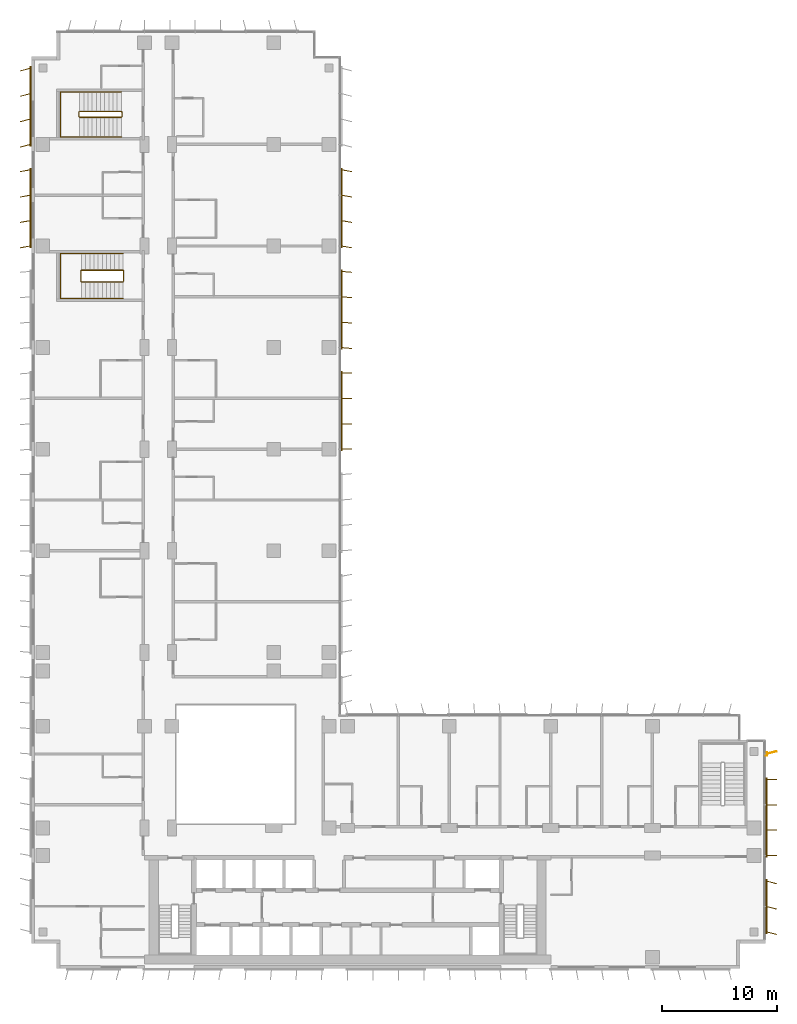
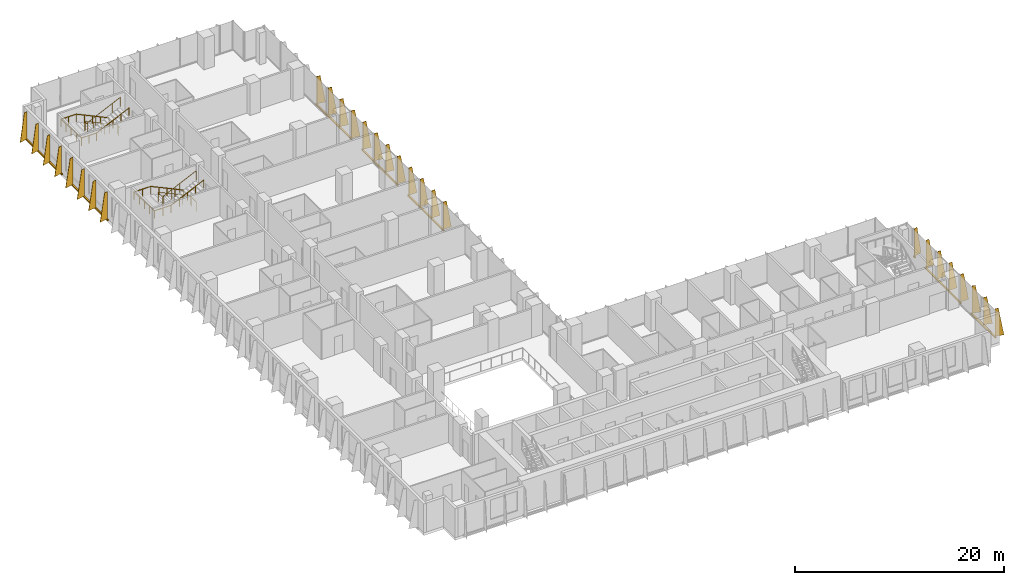
# One storey, part 21 of 22: 8 shading devices, 4 railings.
"""IFC4 building model written with IfcOpenShell, lengths in metres."""

from ifc_helpers import new_model, si_unit, direction, frame, origin, origin_2d, place, context, subcontext, project, spatial, polyline, rectangle, circle, outline, extrude, source, transform, mapped, material, layer, layer_set, type_object, element, save


model = new_model("IFC4")

# Units and contexts
model_context = context("Model", 3, precision=1e-05, world=origin(), true_north=direction((0.0, 1.0)))
body_context = subcontext(model_context, "Body", "Model", "MODEL_VIEW")
ifc_project = project(units=[si_unit("LENGTHUNIT", "METRE"), si_unit("AREAUNIT", "SQUARE_METRE"), si_unit("VOLUMEUNIT", "CUBIC_METRE"), si_unit("PLANEANGLEUNIT", "RADIAN"), si_unit("MASSUNIT", "GRAM", prefix="KILO")], contexts=[model_context])

# Site, building, storey
site_placement = place(None, origin())
site = spatial("IfcSite", under=ifc_project, at=site_placement, CompositionType="ELEMENT")
building_placement = place(site_placement, origin())
building = spatial("IfcBuilding", under=site, at=building_placement, Name="Kemantara Hotel Tower", CompositionType="ELEMENT")
storey_placement = place(building_placement, frame((0.0, 0.0, 111.10009765625)))
storey = spatial("IfcBuildingStorey", under=building, at=storey_placement, Name="L26", CompositionType="ELEMENT", Elevation=111.10009765625)

# Railings
ifc_material_1 = material(Name="Stainless steel balustrade", Category="steel")
railing_type_1 = type_object("IfcRailingType", Name="Stair guard 1100 mm", PredefinedType="GUARDRAIL", material=ifc_material_1)
railing_1_placement = place(storey_placement, frame((7.949951171875, 59.5, 3.699951171875)))
element("IfcRailing", 1, at=railing_1_placement, inside=storey, type_object=railing_type_1, Name="L26 ST4 stair guard 1", PredefinedType="GUARDRAIL", context=body_context, shape_type="SweptSolid", body=[
    extrude(circle(Radius=0.02392578125, at=origin_2d()), frame((0.0, 0.0, 1.076171875), z_axis=(-0.905994681025, 0.0, -0.423289071386), x_axis=(0.0, -1.0, 0.0)), (0.0, 0.0, 1.0), 3.973388671875),
    extrude(circle(Radius=0.02392578125, at=origin_2d()), frame((-3.599853515625, 0.0, -0.60595703125), z_axis=(-0.274243871929, 0.274243871929, -0.92172696468), x_axis=(-0.707106781187, -0.707106781187, 0.0)), (0.0, 0.0, 1.0), 0.1826171875),
    extrude(circle(Radius=0.02392578125, at=origin_2d()), frame((-3.64990234375, 0.050048828125, -0.77392578125), z_axis=(0.0, 1.0, 0.0), x_axis=(-1.0, 0.0, 0.0)), (0.0, 0.0, 1.0), 0.89990234375),
    extrude(circle(Radius=0.02392578125, at=origin_2d()), frame((-3.64990234375, 0.949951171875, -0.77392578125), z_axis=(0.707106781187, 0.707106781187, 0.0), x_axis=(-0.707106781187, 0.707106781187, 0.0)), (0.0, 0.0, 1.0), 0.07080078125),
    extrude(circle(Radius=0.02392578125, at=origin_2d()), frame((-3.599853515625, 1.0, -0.77392578125), z_axis=(0.905994681025, 0.0, -0.423289071386), x_axis=(0.0, 1.0, 0.0)), (0.0, 0.0, 1.0), 3.973388671875),
    extrude(circle(Radius=0.02392578125, at=origin_2d()), frame((0.0, 1.0, -2.4560546875), z_axis=(0.274582412415, -0.274582412415, -0.921525364591), x_axis=(0.707106781187, 0.707106781187, 0.0)), (0.0, 0.0, 1.0), 0.182373046875),
    extrude(circle(Radius=0.02392578125, at=origin_2d()), frame((0.050048828125, 0.949951171875, -2.6240234375), z_axis=(0.0, -1.0, 0.0), x_axis=(1.0, 0.0, 0.0)), (0.0, 0.0, 1.0), 0.89990234375),
    extrude(circle(Radius=0.02099609375, at=origin_2d()), origin(), (0.0, 0.0, 1.0), 1.052001953125),
    extrude(circle(Radius=0.02099609375, at=origin_2d()), frame((-0.89990234375, 0.0, -0.42041015625)), (0.0, 0.0, 1.0), 1.052001953125),
    extrude(circle(Radius=0.02099609375, at=origin_2d()), frame((-1.7998046875, 0.0, -0.8408203125)), (0.0, 0.0, 1.0), 1.052001953125),
    extrude(circle(Radius=0.02099609375, at=origin_2d()), frame((-2.699951171875, 0.0, -1.261474609375)), (0.0, 0.0, 1.0), 1.052001953125),
    extrude(circle(Radius=0.02099609375, at=origin_2d()), frame((-3.599853515625, 0.0, -1.681884765625)), (0.0, 0.0, 1.0), 1.052001953125),
    extrude(circle(Radius=0.02099609375, at=origin_2d()), frame((-3.64990234375, 0.050048828125, -1.85009765625)), (0.0, 0.0, 1.0), 1.052001953125),
    extrude(circle(Radius=0.02099609375, at=origin_2d()), frame((-3.64990234375, 0.949951171875, -1.85009765625)), (0.0, 0.0, 1.0), 1.052001953125),
    extrude(circle(Radius=0.02099609375, at=origin_2d()), frame((-3.599853515625, 1.0, -1.85009765625)), (0.0, 0.0, 1.0), 1.052001953125),
    extrude(circle(Radius=0.02099609375, at=origin_2d()), frame((-2.699951171875, 1.0, -2.2705078125)), (0.0, 0.0, 1.0), 1.052001953125),
    extrude(circle(Radius=0.02099609375, at=origin_2d()), frame((-1.7998046875, 1.0, -2.69091796875)), (0.0, 0.0, 1.0), 1.052001953125),
    extrude(circle(Radius=0.02099609375, at=origin_2d()), frame((-0.89990234375, 1.0, -3.111572265625)), (0.0, 0.0, 1.0), 1.052001953125),
    extrude(circle(Radius=0.02099609375, at=origin_2d()), frame((0.0, 1.0, -3.531982421875)), (0.0, 0.0, 1.0), 1.052001953125),
    extrude(circle(Radius=0.02099609375, at=origin_2d()), frame((0.050048828125, 0.949951171875, -3.699951171875)), (0.0, 0.0, 1.0), 1.052001953125),
    extrude(circle(Radius=0.02099609375, at=origin_2d()), frame((0.050048828125, 0.050048828125, -3.699951171875)), (0.0, 0.0, 1.0), 1.052001953125),
])
railing_2_placement = place(storey_placement, frame((7.800048828125, 73.75, 3.699951171875)))
element("IfcRailing", 2, at=railing_2_placement, inside=storey, type_object=railing_type_1, Name="L26 ST6 stair guard 1", PredefinedType="GUARDRAIL", context=body_context, shape_type="SweptSolid", body=[
    extrude(circle(Radius=0.02392578125, at=origin_2d()), frame((0.0, 0.0, 1.076171875), z_axis=(-0.906005689286, 0.0, -0.423265508849), x_axis=(0.0, -1.0, 0.0)), (0.0, 0.0, 1.0), 3.9736328125),
    extrude(circle(Radius=0.02392578125, at=origin_2d()), frame((-3.60009765625, 0.0, -0.60595703125), z_axis=(-0.274243871929, 0.274243871929, -0.92172696468), x_axis=(-0.707106781187, -0.707106781187, 0.0)), (0.0, 0.0, 1.0), 0.1826171875),
    extrude(circle(Radius=0.02392578125, at=origin_2d()), frame((-3.650146484375, 0.050048828125, -0.77392578125), z_axis=(0.0, 1.0, 0.0), x_axis=(-1.0, 0.0, 0.0)), (0.0, 0.0, 1.0), 0.39990234375),
    extrude(circle(Radius=0.02392578125, at=origin_2d()), frame((-3.650146484375, 0.449951171875, -0.77392578125), z_axis=(0.707106781187, 0.707106781187, 0.0), x_axis=(-0.707106781187, 0.707106781187, 0.0)), (0.0, 0.0, 1.0), 0.07080078125),
    extrude(circle(Radius=0.02392578125, at=origin_2d()), frame((-3.60009765625, 0.5, -0.77392578125), z_axis=(0.906005689286, 0.0, -0.423265508849), x_axis=(0.0, 1.0, 0.0)), (0.0, 0.0, 1.0), 3.9736328125),
    extrude(circle(Radius=0.02392578125, at=origin_2d()), frame((0.0, 0.5, -2.4560546875), z_axis=(0.274582412415, -0.274582412415, -0.921525364591), x_axis=(0.707106781187, 0.707106781187, 0.0)), (0.0, 0.0, 1.0), 0.182373046875),
    extrude(circle(Radius=0.02392578125, at=origin_2d()), frame((0.050048828125, 0.449951171875, -2.6240234375), z_axis=(0.0, -1.0, 0.0), x_axis=(1.0, 0.0, 0.0)), (0.0, 0.0, 1.0), 0.39990234375),
    extrude(circle(Radius=0.02099609375, at=origin_2d()), origin(), (0.0, 0.0, 1.0), 1.052001953125),
    extrude(circle(Radius=0.02099609375, at=origin_2d()), frame((-0.89990234375, 0.0, -0.42041015625)), (0.0, 0.0, 1.0), 1.052001953125),
    extrude(circle(Radius=0.02099609375, at=origin_2d()), frame((-1.800048828125, 0.0, -0.8408203125)), (0.0, 0.0, 1.0), 1.052001953125),
    extrude(circle(Radius=0.02099609375, at=origin_2d()), frame((-2.7001953125, 0.0, -1.261474609375)), (0.0, 0.0, 1.0), 1.052001953125),
    extrude(circle(Radius=0.02099609375, at=origin_2d()), frame((-3.60009765625, 0.0, -1.681884765625)), (0.0, 0.0, 1.0), 1.052001953125),
    extrude(circle(Radius=0.02099609375, at=origin_2d()), frame((-3.650146484375, 0.050048828125, -1.85009765625)), (0.0, 0.0, 1.0), 1.052001953125),
    extrude(circle(Radius=0.02099609375, at=origin_2d()), frame((-3.650146484375, 0.449951171875, -1.85009765625)), (0.0, 0.0, 1.0), 1.052001953125),
    extrude(circle(Radius=0.02099609375, at=origin_2d()), frame((-3.60009765625, 0.5, -1.85009765625)), (0.0, 0.0, 1.0), 1.052001953125),
    extrude(circle(Radius=0.02099609375, at=origin_2d()), frame((-2.7001953125, 0.5, -2.2705078125)), (0.0, 0.0, 1.0), 1.052001953125),
    extrude(circle(Radius=0.02099609375, at=origin_2d()), frame((-1.800048828125, 0.5, -2.69091796875)), (0.0, 0.0, 1.0), 1.052001953125),
    extrude(circle(Radius=0.02099609375, at=origin_2d()), frame((-0.89990234375, 0.5, -3.111572265625)), (0.0, 0.0, 1.0), 1.052001953125),
    extrude(circle(Radius=0.02099609375, at=origin_2d()), frame((0.0, 0.5, -3.531982421875)), (0.0, 0.0, 1.0), 1.052001953125),
    extrude(circle(Radius=0.02099609375, at=origin_2d()), frame((0.050048828125, 0.449951171875, -3.699951171875)), (0.0, 0.0, 1.0), 1.052001953125),
    extrude(circle(Radius=0.02099609375, at=origin_2d()), frame((0.050048828125, 0.050048828125, -3.699951171875)), (0.0, 0.0, 1.0), 1.052001953125),
])
railing_type_2 = type_object("IfcRailingType", Name="Stair handrail 900 mm", PredefinedType="HANDRAIL", material=ifc_material_1)
railing_3_placement = place(storey_placement, frame((7.949951171875, 61.949951171875, 0.16796875)))
element("IfcRailing", 3, at=railing_3_placement, inside=storey, type_object=railing_type_2, Name="L26 ST4 stair handrail 1", PredefinedType="HANDRAIL", context=body_context, shape_type="SweptSolid", body=[
    extrude(circle(Radius=0.02392578125, at=origin_2d()), frame((0.0, 0.0, 0.8759765625), z_axis=(-0.905994681025, 0.0, 0.423289071386), x_axis=(0.0, -1.0, 0.0)), (0.0, 0.0, 1.0), 3.973388671875),
    extrude(circle(Radius=0.02392578125, at=origin_2d()), frame((-3.599853515625, 0.0, 2.5576171875), z_axis=(-1.0, 0.0, 0.0), x_axis=(0.0, -1.0, 0.0)), (0.0, 0.0, 1.0), 1.830078125),
    extrude(circle(Radius=0.02392578125, at=origin_2d()), frame((-5.429931640625, 0.0, 2.5576171875), z_axis=(0.0, -0.999071085748, 0.043092523981), x_axis=(1.0, 0.0, 0.0)), (0.0, 0.0, 1.0), 3.903564453125),
    extrude(circle(Radius=0.02392578125, at=origin_2d()), frame((-5.429931640625, -3.89990234375, 2.72607421875), z_axis=(1.0, 0.0, 0.0), x_axis=(0.0, 1.0, 0.0)), (0.0, 0.0, 1.0), 1.830078125),
    extrude(circle(Radius=0.02392578125, at=origin_2d()), frame((-3.599853515625, -3.89990234375, 2.72607421875), z_axis=(0.905994681025, 0.0, 0.423289071386), x_axis=(0.0, 1.0, 0.0)), (0.0, 0.0, 1.0), 3.973388671875),
    extrude(circle(Radius=0.02099609375, at=origin_2d()), origin(), (0.0, 0.0, 1.0), 0.851806640625),
    extrude(circle(Radius=0.02099609375, at=origin_2d()), frame((-0.89990234375, 0.0, 0.42041015625)), (0.0, 0.0, 1.0), 0.851806640625),
    extrude(circle(Radius=0.02099609375, at=origin_2d()), frame((-1.7998046875, 0.0, 0.8408203125)), (0.0, 0.0, 1.0), 0.851806640625),
    extrude(circle(Radius=0.02099609375, at=origin_2d()), frame((-2.699951171875, 0.0, 1.261474609375)), (0.0, 0.0, 1.0), 0.851806640625),
    extrude(circle(Radius=0.02099609375, at=origin_2d()), frame((-3.599853515625, 0.0, 1.681884765625)), (0.0, 0.0, 1.0), 0.851806640625),
    extrude(circle(Radius=0.02099609375, at=origin_2d()), frame((-4.514892578125, 0.0, 1.681884765625)), (0.0, 0.0, 1.0), 0.851806640625),
    extrude(circle(Radius=0.02099609375, at=origin_2d()), frame((-5.429931640625, 0.0, 1.681884765625)), (0.0, 0.0, 1.0), 0.851806640625),
    extrude(circle(Radius=0.02099609375, at=origin_2d()), frame((-5.429931640625, -0.97509765625, 1.723876953125)), (0.0, 0.0, 1.0), 0.851806640625),
    extrude(circle(Radius=0.02099609375, at=origin_2d()), frame((-5.429931640625, -1.949951171875, 1.76611328125)), (0.0, 0.0, 1.0), 0.851806640625),
    extrude(circle(Radius=0.02099609375, at=origin_2d()), frame((-5.429931640625, -2.9248046875, 1.80810546875)), (0.0, 0.0, 1.0), 0.851806640625),
    extrude(circle(Radius=0.02099609375, at=origin_2d()), frame((-5.429931640625, -3.89990234375, 1.85009765625)), (0.0, 0.0, 1.0), 0.851806640625),
    extrude(circle(Radius=0.02099609375, at=origin_2d()), frame((-4.514892578125, -3.89990234375, 1.85009765625)), (0.0, 0.0, 1.0), 0.851806640625),
    extrude(circle(Radius=0.02099609375, at=origin_2d()), frame((-3.599853515625, -3.89990234375, 1.85009765625)), (0.0, 0.0, 1.0), 0.851806640625),
    extrude(circle(Radius=0.02099609375, at=origin_2d()), frame((-2.699951171875, -3.89990234375, 2.2705078125)), (0.0, 0.0, 1.0), 0.851806640625),
    extrude(circle(Radius=0.02099609375, at=origin_2d()), frame((-1.7998046875, -3.89990234375, 2.69091796875)), (0.0, 0.0, 1.0), 0.851806640625),
    extrude(circle(Radius=0.02099609375, at=origin_2d()), frame((-0.89990234375, -3.89990234375, 3.111572265625)), (0.0, 0.0, 1.0), 0.851806640625),
    extrude(circle(Radius=0.02099609375, at=origin_2d()), frame((0.0, -3.89990234375, 3.531982421875)), (0.0, 0.0, 1.0), 0.851806640625),
])
railing_4_placement = place(storey_placement, frame((7.800048828125, 75.949951171875, 0.16796875)))
element("IfcRailing", 4, at=railing_4_placement, inside=storey, type_object=railing_type_2, Name="L26 ST6 stair handrail 1", PredefinedType="HANDRAIL", context=body_context, shape_type="SweptSolid", body=[
    extrude(circle(Radius=0.02392578125, at=origin_2d()), frame((0.0, 0.0, 0.8759765625), z_axis=(-0.906005689286, 0.0, 0.423265508849), x_axis=(0.0, -1.0, 0.0)), (0.0, 0.0, 1.0), 3.9736328125),
    extrude(circle(Radius=0.02392578125, at=origin_2d()), frame((-3.60009765625, 0.0, 2.5576171875), z_axis=(-1.0, 0.0, 0.0), x_axis=(0.0, -1.0, 0.0)), (0.0, 0.0, 1.0), 1.679931640625),
    extrude(circle(Radius=0.02392578125, at=origin_2d()), frame((-5.280029296875, 0.0, 2.5576171875), z_axis=(0.0, -0.999071085748, 0.043092523981), x_axis=(1.0, 0.0, 0.0)), (0.0, 0.0, 1.0), 3.903564453125),
    extrude(circle(Radius=0.02392578125, at=origin_2d()), frame((-5.280029296875, -3.89990234375, 2.72607421875), z_axis=(1.0, 0.0, 0.0), x_axis=(0.0, 1.0, 0.0)), (0.0, 0.0, 1.0), 1.679931640625),
    extrude(circle(Radius=0.02392578125, at=origin_2d()), frame((-3.60009765625, -3.89990234375, 2.72607421875), z_axis=(0.906005689286, 0.0, 0.423265508849), x_axis=(0.0, 1.0, 0.0)), (0.0, 0.0, 1.0), 3.9736328125),
    extrude(circle(Radius=0.02099609375, at=origin_2d()), origin(), (0.0, 0.0, 1.0), 0.851806640625),
    extrude(circle(Radius=0.02099609375, at=origin_2d()), frame((-0.89990234375, 0.0, 0.42041015625)), (0.0, 0.0, 1.0), 0.851806640625),
    extrude(circle(Radius=0.02099609375, at=origin_2d()), frame((-1.800048828125, 0.0, 0.8408203125)), (0.0, 0.0, 1.0), 0.851806640625),
    extrude(circle(Radius=0.02099609375, at=origin_2d()), frame((-2.7001953125, 0.0, 1.261474609375)), (0.0, 0.0, 1.0), 0.851806640625),
    extrude(circle(Radius=0.02099609375, at=origin_2d()), frame((-3.60009765625, 0.0, 1.681884765625)), (0.0, 0.0, 1.0), 0.851806640625),
    extrude(circle(Radius=0.02099609375, at=origin_2d()), frame((-4.43994140625, 0.0, 1.681884765625)), (0.0, 0.0, 1.0), 0.851806640625),
    extrude(circle(Radius=0.02099609375, at=origin_2d()), frame((-5.280029296875, 0.0, 1.681884765625)), (0.0, 0.0, 1.0), 0.851806640625),
    extrude(circle(Radius=0.02099609375, at=origin_2d()), frame((-5.280029296875, -0.97509765625, 1.723876953125)), (0.0, 0.0, 1.0), 0.851806640625),
    extrude(circle(Radius=0.02099609375, at=origin_2d()), frame((-5.280029296875, -1.949951171875, 1.76611328125)), (0.0, 0.0, 1.0), 0.851806640625),
    extrude(circle(Radius=0.02099609375, at=origin_2d()), frame((-5.280029296875, -2.9248046875, 1.80810546875)), (0.0, 0.0, 1.0), 0.851806640625),
    extrude(circle(Radius=0.02099609375, at=origin_2d()), frame((-5.280029296875, -3.89990234375, 1.85009765625)), (0.0, 0.0, 1.0), 0.851806640625),
    extrude(circle(Radius=0.02099609375, at=origin_2d()), frame((-4.43994140625, -3.89990234375, 1.85009765625)), (0.0, 0.0, 1.0), 0.851806640625),
    extrude(circle(Radius=0.02099609375, at=origin_2d()), frame((-3.60009765625, -3.89990234375, 1.85009765625)), (0.0, 0.0, 1.0), 0.851806640625),
    extrude(circle(Radius=0.02099609375, at=origin_2d()), frame((-2.7001953125, -3.89990234375, 2.2705078125)), (0.0, 0.0, 1.0), 0.851806640625),
    extrude(circle(Radius=0.02099609375, at=origin_2d()), frame((-1.800048828125, -3.89990234375, 2.69091796875)), (0.0, 0.0, 1.0), 0.851806640625),
    extrude(circle(Radius=0.02099609375, at=origin_2d()), frame((-0.89990234375, -3.89990234375, 3.111572265625)), (0.0, 0.0, 1.0), 0.851806640625),
    extrude(circle(Radius=0.02099609375, at=origin_2d()), frame((0.0, -3.89990234375, 3.531982421875)), (0.0, 0.0, 1.0), 0.851806640625),
])

# Shading devices
ifc_material_2 = material(Name="Perforated aluminium plate 4 mm bronze anodised", Category="aluminium")
ifc_layer_1 = layer(ifc_material_2, 0.0400390625)
ifc_layer_set_1 = layer_set([ifc_layer_1], Name="Perforated aluminium plate 4 mm bronze anodised")
shading_device_type_1 = type_object("IfcShadingDeviceType", Name="SCREEN FIN CASSETTE, 3 BLADES AT -15.0 DEG, 3200 HIGH", PredefinedType="USERDEFINED", material=ifc_layer_set_1)
shared_shape_1 = source(origin(), body_context, "Body", "SweptSolid", [
    extrude(rectangle(XDim=4.699951171875, YDim=0.14990234375, at=origin_2d()), frame((2.199951171875, -0.074951171875, -0.14990234375), z_axis=(0.0, 0.0, 1.0), x_axis=(1.0, 0.0, 0.0)), (0.0, 0.0, 1.0), 0.14990234375),
    extrude(outline(polyline([(0.0, 0.0), (0.89990234375, 0.0), (0.35009765625, 3.199951171875), (0.0, 3.199951171875), (0.0, 0.0)])), frame((0.019287109375, -0.080078125, 0.0), z_axis=(-0.966437683387, 0.256901156343, 0.0), x_axis=(-0.256901156343, -0.966437683387, 0.0)), (0.0, 0.0, 1.0), 0.039794921875),
    extrude(outline(polyline([(0.0, 0.0), (0.89990234375, 0.0), (0.35009765625, 3.199951171875), (0.0, 3.199951171875), (0.0, 0.0)])), frame((2.21923828125, -0.080078125, 0.0), z_axis=(-0.966437683387, 0.256901156343, 0.0), x_axis=(-0.256901156343, -0.966437683387, 0.0)), (0.0, 0.0, 1.0), 0.039794921875),
    extrude(outline(polyline([(0.0, 0.0), (0.89990234375, 0.0), (0.35009765625, 3.199951171875), (0.0, 3.199951171875), (0.0, 0.0)])), frame((4.41943359375, -0.080078125, 0.0), z_axis=(-0.966837822169, 0.255391122837, 0.0), x_axis=(-0.255391122837, -0.966837822169, 0.0)), (0.0, 0.0, 1.0), 0.0400390625),
])
shading_device_1_placement = place(storey_placement, frame((63.60009765625, 3.199951171875, 0.099853515625), z_axis=(0.0, 0.0, 1.0), x_axis=(0.0, 1.0, 0.0)))
element("IfcShadingDevice", 5, at=shading_device_1_placement, inside=storey, type_object=shading_device_type_1, Name="SCREEN FIN CASSETTE L26 T2-R10-1", ObjectType="SCREEN FIN", PredefinedType="USERDEFINED", context=body_context, shape_type="MappedRepresentation", body=[
    mapped(shared_shape_1, transform((0.0, 0.0, 0.0))),
])
ifc_layer_2 = layer(ifc_material_2, 0.0400390625)
ifc_layer_set_2 = layer_set([ifc_layer_2], Name="Perforated aluminium plate 4 mm bronze anodised")
shading_device_type_2 = type_object("IfcShadingDeviceType", Name="SCREEN FIN CASSETTE, 4 BLADES AT -10.0 DEG, 3200 HIGH", PredefinedType="USERDEFINED", material=ifc_layer_set_2)
shared_shape_2 = source(origin(), body_context, "Body", "SweptSolid", [
    extrude(rectangle(XDim=6.89990234375, YDim=0.14990234375, at=origin_2d()), frame((3.300048828125, -0.074951171875, -0.14990234375), z_axis=(0.0, 0.0, 1.0), x_axis=(1.0, 0.0, 0.0)), (0.0, 0.0, 1.0), 0.14990234375),
    extrude(outline(polyline([(0.0, 0.0), (0.89990234375, 0.0), (0.35009765625, 3.199951171875), (0.0, 3.199951171875), (0.0, 0.0)])), frame((0.019775390625, -0.078369140625, 0.0), z_axis=(-0.985389793052, 0.170314285219, 0.0), x_axis=(-0.170314285219, -0.985389793052, 0.0)), (0.0, 0.0, 1.0), 0.0400390625),
    extrude(outline(polyline([(0.0, 0.0), (0.89990234375, 0.0), (0.35009765625, 3.199951171875), (0.0, 3.199951171875), (0.0, 0.0)])), frame((2.2197265625, -0.078369140625, 0.0), z_axis=(-0.98521175482, 0.171341174751, 0.0), x_axis=(-0.171341174751, -0.98521175482, 0.0)), (0.0, 0.0, 1.0), 0.039794921875),
    extrude(outline(polyline([(0.0, 0.0), (0.89990234375, 0.0), (0.35009765625, 3.199951171875), (0.0, 3.199951171875), (0.0, 0.0)])), frame((4.419677734375, -0.078369140625, 0.0), z_axis=(-0.98521175482, 0.171341174751, 0.0), x_axis=(-0.171341174751, -0.98521175482, 0.0)), (0.0, 0.0, 1.0), 0.039794921875),
    extrude(outline(polyline([(0.0, 0.0), (0.89990234375, 0.0), (0.35009765625, 3.199951171875), (0.0, 3.199951171875), (0.0, 0.0)])), frame((6.61962890625, -0.078369140625, 0.0), z_axis=(-0.98521175482, 0.171341174751, 0.0), x_axis=(-0.171341174751, -0.98521175482, 0.0)), (0.0, 0.0, 1.0), 0.039794921875),
])
shading_device_2_placement = place(storey_placement, frame((26.800048828125, 62.60009765625, 0.099853515625), z_axis=(0.0, 0.0, 1.0), x_axis=(0.0, 1.0, 0.0)))
element("IfcShadingDevice", 6, at=shading_device_2_placement, inside=storey, type_object=shading_device_type_2, Name="SCREEN FIN CASSETTE L26 T2-R14-6", ObjectType="SCREEN FIN", PredefinedType="USERDEFINED", context=body_context, shape_type="MappedRepresentation", body=[
    mapped(shared_shape_2, transform((0.0, 0.0, 0.0))),
])
ifc_layer_3 = layer(ifc_material_2, 0.0400390625)
ifc_layer_set_3 = layer_set([ifc_layer_3], Name="Perforated aluminium plate 4 mm bronze anodised")
shading_device_type_3 = type_object("IfcShadingDeviceType", Name="SCREEN FIN CASSETTE, 4 BLADES AT -5.0 DEG, 3200 HIGH", PredefinedType="USERDEFINED", material=ifc_layer_set_3)
shared_shape_3 = source(origin(), body_context, "Body", "SweptSolid", [
    extrude(rectangle(XDim=6.89990234375, YDim=0.14990234375, at=origin_2d()), frame((3.300048828125, -0.074951171875, -0.14990234375), z_axis=(0.0, 0.0, 1.0), x_axis=(1.0, 0.0, 0.0)), (0.0, 0.0, 1.0), 0.14990234375),
    extrude(outline(polyline([(0.0, 0.0), (0.89990234375, 0.0), (0.35009765625, 3.199951171875), (0.0, 3.199951171875), (0.0, 0.0)])), frame((0.02001953125, -0.07666015625, 0.0), z_axis=(-0.996376129781, 0.085056498884, 0.0), x_axis=(-0.085056498884, -0.996376129781, 0.0)), (0.0, 0.0, 1.0), 0.040283203125),
    extrude(outline(polyline([(0.0, 0.0), (0.89990234375, 0.0), (0.35009765625, 3.199951171875), (0.0, 3.199951171875), (0.0, 0.0)])), frame((2.219970703125, -0.07666015625, 0.0), z_axis=(-0.996331773833, 0.085574508182, 0.0), x_axis=(-0.085574508182, -0.996331773833, 0.0)), (0.0, 0.0, 1.0), 0.0400390625),
    extrude(outline(polyline([(0.0, 0.0), (0.89990234375, 0.0), (0.35009765625, 3.199951171875), (0.0, 3.199951171875), (0.0, 0.0)])), frame((4.419921875, -0.07666015625, 0.0), z_axis=(-0.996331773833, 0.085574508182, 0.0), x_axis=(-0.085574508182, -0.996331773833, 0.0)), (0.0, 0.0, 1.0), 0.0400390625),
    extrude(outline(polyline([(0.0, 0.0), (0.89990234375, 0.0), (0.35009765625, 3.199951171875), (0.0, 3.199951171875), (0.0, 0.0)])), frame((6.619873046875, -0.07666015625, 0.0), z_axis=(-0.996331773833, 0.085574508182, 0.0), x_axis=(-0.085574508182, -0.996331773833, 0.0)), (0.0, 0.0, 1.0), 0.0400390625),
])
shading_device_3_placement = place(storey_placement, frame((26.800048828125, 53.800048828125, 0.099853515625), z_axis=(0.0, 0.0, 1.0), x_axis=(0.0, 1.0, 0.0)))
element("IfcShadingDevice", 7, at=shading_device_3_placement, inside=storey, type_object=shading_device_type_3, Name="SCREEN FIN CASSETTE L26 T2-R14-5", ObjectType="SCREEN FIN", PredefinedType="USERDEFINED", context=body_context, shape_type="MappedRepresentation", body=[
    mapped(shared_shape_3, transform((0.0, 0.0, 0.0))),
])
ifc_layer_4 = layer(ifc_material_2, 0.0400390625)
ifc_layer_set_4 = layer_set([ifc_layer_4], Name="Perforated aluminium plate 4 mm bronze anodised")
shading_device_type_4 = type_object("IfcShadingDeviceType", Name="SCREEN FIN CASSETTE, 4 BLADES AT +0.0 DEG, 3200 HIGH", PredefinedType="USERDEFINED", material=ifc_layer_set_4)
shared_shape_4 = source(origin(), body_context, "Body", "SweptSolid", [
    extrude(rectangle(XDim=6.89990234375, YDim=0.14990234375, at=origin_2d()), frame((3.300048828125, -0.074951171875, -0.14990234375), z_axis=(0.0, 0.0, 1.0), x_axis=(1.0, 0.0, 0.0)), (0.0, 0.0, 1.0), 0.14990234375),
    extrude(outline(polyline([(0.0, 0.0), (0.89990234375, 0.0), (0.35009765625, 3.199951171875), (0.0, 3.199951171875), (0.0, 0.0)])), frame((0.02001953125, -0.074951171875, 0.0), z_axis=(-1.0, 0.0, 0.0), x_axis=(0.0, -1.0, 0.0)), (0.0, 0.0, 1.0), 0.0400390625),
    extrude(outline(polyline([(0.0, 0.0), (0.89990234375, 0.0), (0.35009765625, 3.199951171875), (0.0, 3.199951171875), (0.0, 0.0)])), frame((2.219970703125, -0.074951171875, 0.0), z_axis=(-1.0, 0.0, 0.0), x_axis=(0.0, -1.0, 0.0)), (0.0, 0.0, 1.0), 0.0400390625),
    extrude(outline(polyline([(0.0, 0.0), (0.89990234375, 0.0), (0.35009765625, 3.199951171875), (0.0, 3.199951171875), (0.0, 0.0)])), frame((4.419921875, -0.074951171875, 0.0), z_axis=(-1.0, 0.0, 0.0), x_axis=(0.0, -1.0, 0.0)), (0.0, 0.0, 1.0), 0.0400390625),
    extrude(outline(polyline([(0.0, 0.0), (0.89990234375, 0.0), (0.35009765625, 3.199951171875), (0.0, 3.199951171875), (0.0, 0.0)])), frame((6.6201171875, -0.074951171875, 0.0), z_axis=(-1.0, 0.0, 0.0), x_axis=(0.0, -1.0, 0.0)), (0.0, 0.0, 1.0), 0.0400390625),
])
for number, where, z_axis, x_axis, name in (
    (8, (63.60009765625, 9.800048828125, 0.099853515625), (0.0, 0.0, 1.0), (0.0, 1.0, 0.0), "SCREEN FIN CASSETTE L26 T2-R10-2"),
    (9, (26.800048828125, 45.0, 0.099853515625), (0.0, 0.0, 1.0), (0.0, 1.0, 0.0), "SCREEN FIN CASSETTE L26 T2-R14-4"),
):
    element("IfcShadingDevice", number, at=place(storey_placement, frame(where, z_axis=z_axis, x_axis=x_axis)), inside=storey, type_object=shading_device_type_4, Name=name, ObjectType="SCREEN FIN", PredefinedType="USERDEFINED", context=body_context, shape_type="MappedRepresentation", body=[
        mapped(shared_shape_4, transform((0.0, 0.0, 0.0))),
    ])
ifc_layer_5 = layer(ifc_material_2, 0.0400390625)
ifc_layer_set_5 = layer_set([ifc_layer_5], Name="Perforated aluminium plate 4 mm bronze anodised")
shading_device_type_5 = type_object("IfcShadingDeviceType", Name="SCREEN FIN CASSETTE, 4 BLADES AT +10.0 DEG, 3200 HIGH", PredefinedType="USERDEFINED", material=ifc_layer_set_5)
shared_shape_5 = source(origin(), body_context, "Body", "SweptSolid", [
    extrude(rectangle(XDim=6.89990234375, YDim=0.14990234375, at=origin_2d()), frame((3.300048828125, -0.074951171875, -0.14990234375), z_axis=(0.0, 0.0, 1.0), x_axis=(1.0, 0.0, 0.0)), (0.0, 0.0, 1.0), 0.14990234375),
    extrude(outline(polyline([(0.0, 0.0), (0.89990234375, 0.0), (0.35009765625, 3.199951171875), (0.0, 3.199951171875), (0.0, 0.0)])), frame((0.019775390625, -0.071533203125, 0.0), z_axis=(-0.985389793052, -0.170314285219, 0.0), x_axis=(0.170314285219, -0.985389793052, 0.0)), (0.0, 0.0, 1.0), 0.0400390625),
    extrude(outline(polyline([(0.0, 0.0), (0.89990234375, 0.0), (0.35009765625, 3.199951171875), (0.0, 3.199951171875), (0.0, 0.0)])), frame((2.2197265625, -0.071533203125, 0.0), z_axis=(-0.98521175482, -0.171341174751, 0.0), x_axis=(0.171341174751, -0.98521175482, 0.0)), (0.0, 0.0, 1.0), 0.039794921875),
    extrude(outline(polyline([(0.0, 0.0), (0.89990234375, 0.0), (0.35009765625, 3.199951171875), (0.0, 3.199951171875), (0.0, 0.0)])), frame((4.419677734375, -0.071533203125, 0.0), z_axis=(-0.98521175482, -0.171341174751, 0.0), x_axis=(0.171341174751, -0.98521175482, 0.0)), (0.0, 0.0, 1.0), 0.039794921875),
    extrude(outline(polyline([(0.0, 0.0), (0.89990234375, 0.0), (0.35009765625, 3.199951171875), (0.0, 3.199951171875), (0.0, 0.0)])), frame((6.61962890625, -0.071533203125, 0.0), z_axis=(-0.98521175482, -0.171341174751, 0.0), x_axis=(0.171341174751, -0.98521175482, 0.0)), (0.0, 0.0, 1.0), 0.039794921875),
])
shading_device_4_placement = place(storey_placement, frame((0.0, 69.199951171875, 0.099853515625), z_axis=(0.0, 0.0, 1.0), x_axis=(0.0, -1.0, 0.0)))
element("IfcShadingDevice", 10, at=shading_device_4_placement, inside=storey, type_object=shading_device_type_5, Name="SCREEN FIN CASSETTE L26 T2-R04-2", ObjectType="SCREEN FIN", PredefinedType="USERDEFINED", context=body_context, shape_type="MappedRepresentation", body=[
    mapped(shared_shape_5, transform((0.0, 0.0, 0.0))),
])
ifc_layer_6 = layer(ifc_material_2, 0.0400390625)
ifc_layer_set_6 = layer_set([ifc_layer_6], Name="Perforated aluminium plate 4 mm bronze anodised")
shading_device_type_6 = type_object("IfcShadingDeviceType", Name="SCREEN FIN CASSETTE, 4 BLADES AT +15.0 DEG, 3200 HIGH", PredefinedType="USERDEFINED", material=ifc_layer_set_6)
shared_shape_6 = source(origin(), body_context, "Body", "SweptSolid", [
    extrude(rectangle(XDim=6.89990234375, YDim=0.14990234375, at=origin_2d()), frame((3.300048828125, -0.074951171875, -0.14990234375), z_axis=(0.0, 0.0, 1.0), x_axis=(1.0, 0.0, 0.0)), (0.0, 0.0, 1.0), 0.14990234375),
    extrude(outline(polyline([(0.0, 0.0), (0.89990234375, 0.0), (0.35009765625, 3.199951171875), (0.0, 3.199951171875), (0.0, 0.0)])), frame((0.019287109375, -0.06982421875, 0.0), z_axis=(-0.966437683387, -0.256901156343, 0.0), x_axis=(0.256901156343, -0.966437683387, 0.0)), (0.0, 0.0, 1.0), 0.039794921875),
    extrude(outline(polyline([(0.0, 0.0), (0.89990234375, 0.0), (0.35009765625, 3.199951171875), (0.0, 3.199951171875), (0.0, 0.0)])), frame((2.21923828125, -0.06982421875, 0.0), z_axis=(-0.966437683387, -0.256901156343, 0.0), x_axis=(0.256901156343, -0.966437683387, 0.0)), (0.0, 0.0, 1.0), 0.039794921875),
    extrude(outline(polyline([(0.0, 0.0), (0.89990234375, 0.0), (0.35009765625, 3.199951171875), (0.0, 3.199951171875), (0.0, 0.0)])), frame((4.41943359375, -0.06982421875, 0.0), z_axis=(-0.966837822169, -0.255391122837, 0.0), x_axis=(0.255391122837, -0.966837822169, 0.0)), (0.0, 0.0, 1.0), 0.0400390625),
    extrude(outline(polyline([(0.0, 0.0), (0.89990234375, 0.0), (0.35009765625, 3.199951171875), (0.0, 3.199951171875), (0.0, 0.0)])), frame((6.619384765625, -0.06982421875, 0.0), z_axis=(-0.966837822169, -0.255391122837, 0.0), x_axis=(0.255391122837, -0.966837822169, 0.0)), (0.0, 0.0, 1.0), 0.0400390625),
])
shading_device_5_placement = place(storey_placement, frame((0.0, 78.0, 0.099853515625), z_axis=(0.0, 0.0, 1.0), x_axis=(0.0, -1.0, 0.0)))
element("IfcShadingDevice", 11, at=shading_device_5_placement, inside=storey, type_object=shading_device_type_6, Name="SCREEN FIN CASSETTE L26 T2-R04-1", ObjectType="SCREEN FIN", PredefinedType="USERDEFINED", context=body_context, shape_type="MappedRepresentation", body=[
    mapped(shared_shape_6, transform((0.0, 0.0, 0.0))),
])
ifc_layer_7 = layer(ifc_material_2, 0.0400390625)
ifc_layer_set_7 = layer_set([ifc_layer_7], Name="Perforated aluminium plate 4 mm bronze anodised")
shading_device_type_7 = type_object("IfcShadingDeviceType", Name="SCREEN FIN CASSETTE, 1 BLADE AT +15.0 DEG, 3200 HIGH", PredefinedType="USERDEFINED", material=ifc_layer_set_7)
shared_shape_7 = source(origin(), body_context, "Body", "SweptSolid", [
    extrude(rectangle(XDim=0.300048828125, YDim=0.14990234375, at=origin_2d()), frame((0.0, -0.074951171875, -0.14990234375), z_axis=(0.0, 0.0, 1.0), x_axis=(1.0, 0.0, 0.0)), (0.0, 0.0, 1.0), 0.14990234375),
    extrude(outline(polyline([(0.0, 0.0), (0.89990234375, 0.0), (0.35009765625, 3.199951171875), (0.0, 3.199951171875), (0.0, 0.0)])), frame((0.019287109375, -0.06982421875, 0.0), z_axis=(-0.966437683387, -0.256901156343, 0.0), x_axis=(0.256901156343, -0.966437683387, 0.0)), (0.0, 0.0, 1.0), 0.039794921875),
])
shading_device_6_placement = place(storey_placement, frame((63.60009765625, 18.60009765625, 0.099853515625), z_axis=(0.0, 0.0, 1.0), x_axis=(0.0, 1.0, 0.0)))
element("IfcShadingDevice", 12, at=shading_device_6_placement, inside=storey, type_object=shading_device_type_7, Name="SCREEN FIN CASSETTE L26 T2-R10-3", ObjectType="SCREEN FIN", PredefinedType="USERDEFINED", context=body_context, shape_type="MappedRepresentation", body=[
    mapped(shared_shape_7, transform((0.0, 0.0, 0.0))),
])

save(model, "model.ifc")
